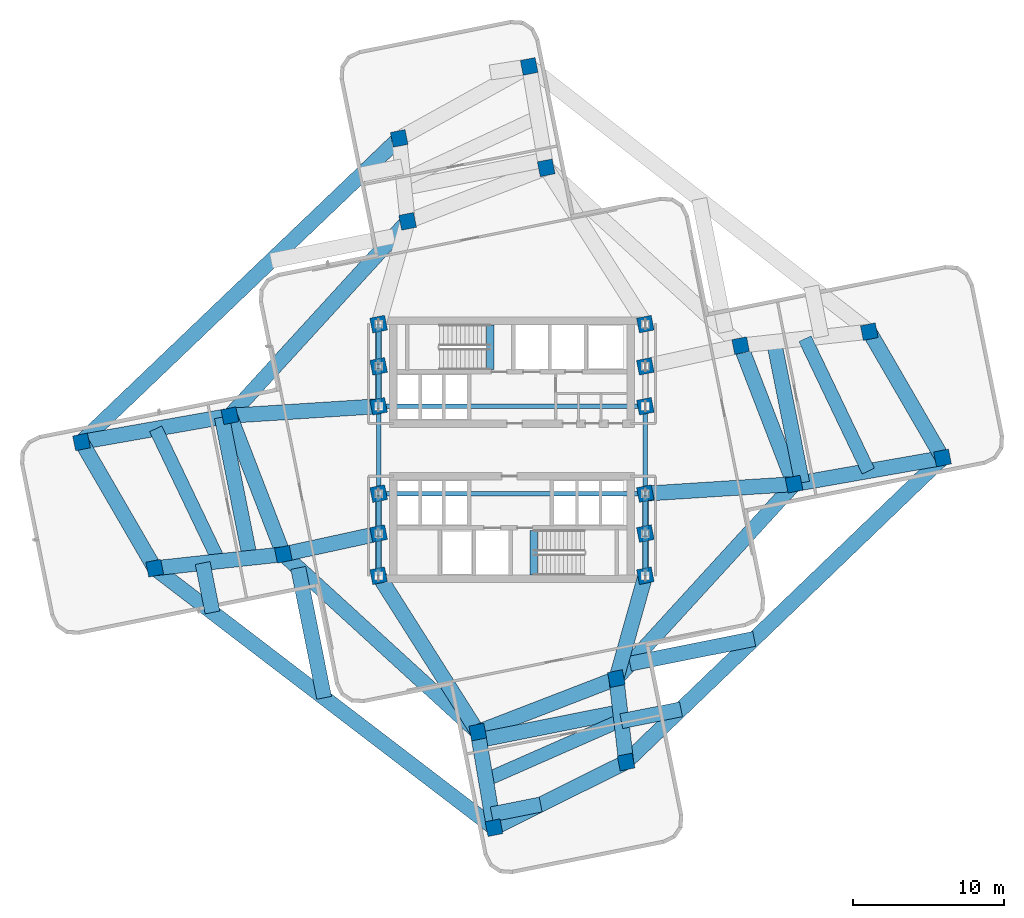
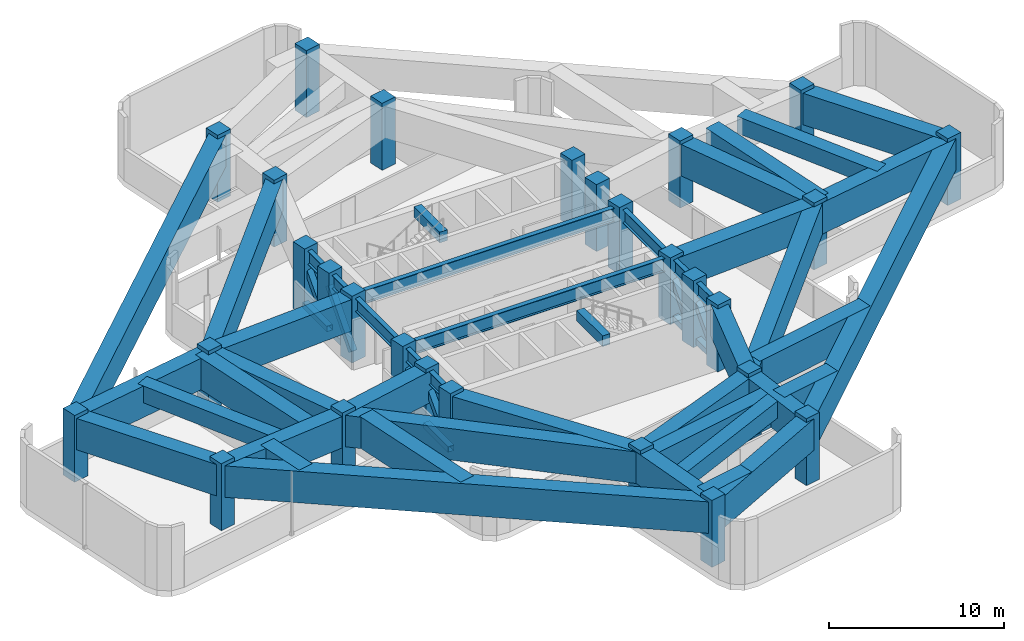
# One storey, part 1 of 7: 45 beams, 28 columns, 12 members.
"""IFC4 building model written with IfcOpenShell, lengths in metres."""

from ifc_helpers import new_model, si_unit, direction, frame, origin, origin_2d, place, context, subcontext, project, spatial, rectangle, hollow_rectangle, i_section, extrude, material, material_profile, profile_set, type_object, element, save


model = new_model("IFC4")

# Units and contexts
model_context = context("Model", 3, precision=1e-05, world=origin(), true_north=direction((0.0, 1.0)))
body_context = subcontext(model_context, "Body", "Model", "MODEL_VIEW")
ifc_project = project(units=[si_unit("LENGTHUNIT", "METRE"), si_unit("AREAUNIT", "SQUARE_METRE"), si_unit("VOLUMEUNIT", "CUBIC_METRE"), si_unit("PLANEANGLEUNIT", "RADIAN"), si_unit("MASSUNIT", "GRAM", prefix="KILO")], contexts=[model_context])

# Site, building, storey
site_placement = place(None, origin())
site = spatial("IfcSite", under=ifc_project, at=site_placement, CompositionType="ELEMENT")
building_placement = place(site_placement, origin())
building = spatial("IfcBuilding", under=site, at=building_placement, Name="Solmarez Civic Tower", CompositionType="ELEMENT")
storey_placement = place(building_placement, frame((0.0, 0.0, 107.280029296875)))
storey = spatial("IfcBuildingStorey", under=building, at=storey_placement, Name="L28", CompositionType="ELEMENT", Elevation=107.280029296875)

# Columns
ifc_material_1 = material(Name="Concrete C60/75", Category="concrete")
ifc_material_profile_1 = material_profile(ifc_material_1, rectangle(XDim=1.0, YDim=1.0, at=origin_2d()), Name="RC1000X1000")
ifc_profile_set_1 = profile_set([ifc_material_profile_1], Name="Concrete C60/75")
column_type = type_object("IfcColumnType", Name="COL-RC1000", PredefinedType="COLUMN", material=ifc_profile_set_1)
for number, where, z_axis, x_axis, name in (
    (1, (-8.85009765625, -5.550048828125, 0.0), (0.0, 0.0, 1.0), (0.98068299691, 0.195603833222, 0.0), "L28 Structural Column HC1"),
    (2, (-8.85009765625, -2.89990234375, 0.0), (0.0, 0.0, 1.0), (0.98068299691, 0.195603833222, 0.0), "L28 Structural Column HC2"),
    (3, (-8.85009765625, 2.89990234375, 0.0), (0.0, 0.0, 1.0), (0.98068299691, 0.195603833222, 0.0), "L28 Structural Column HC3"),
    (4, (-8.85009765625, 5.550048828125, 0.0), (0.0, 0.0, 1.0), (0.98068299691, 0.195603833222, 0.0), "L28 Structural Column HC4"),
    (5, (8.85009765625, -5.550048828125, 0.0), (0.0, 0.0, 1.0), (0.98068299691, 0.195603833222, 0.0), "L28 Structural Column HC5"),
    (6, (8.85009765625, -2.89990234375, 0.0), (0.0, 0.0, 1.0), (0.98068299691, 0.195603833222, 0.0), "L28 Structural Column HC6"),
    (7, (8.85009765625, 2.89990234375, 0.0), (0.0, 0.0, 1.0), (0.98068299691, 0.195603833222, 0.0), "L28 Structural Column HC7"),
    (8, (8.85009765625, 5.550048828125, 0.0), (0.0, 0.0, 1.0), (0.98068299691, 0.195603833222, 0.0), "L28 Structural Column HC8"),
    (9, (-8.85009765625, 8.35009765625, 0.0), (0.0, 0.0, 1.0), (0.98068299691, 0.195603833222, 0.0), "L28 Structural Column HC9"),
    (10, (8.85009765625, -8.35009765625, 0.0), (0.0, 0.0, 1.0), (0.98068299691, 0.195603833222, 0.0), "L28 Structural Column HC10"),
    (11, (8.85009765625, 8.35009765625, 0.0), (0.0, 0.0, 1.0), (0.98068299691, 0.195603833222, 0.0), "L28 Structural Column HC11"),
    (12, (-8.85009765625, -8.35009765625, 0.0), (0.0, 0.0, 1.0), (0.98068299691, 0.195603833222, 0.0), "L28 Structural Column HC12"),
    (13, (18.72412109375, -2.27099609375, 0.0), (0.0, 0.0, 1.0), (0.98068299691, 0.195603833222, 0.0), "L28 Structural Column EA11"),
    (14, (15.175048828125, 6.927001953125, 0.0), (0.0, 0.0, 1.0), (0.98068299691, 0.195603833222, 0.0), "L28 Structural Column EA12"),
    (15, (28.575927734375, -0.532958984375, 0.0), (0.0, 0.0, 1.0), (0.98068299691, 0.195603833222, 0.0), "L28 Structural Column EA21"),
    (16, (23.715087890625, 7.85107421875, 0.0), (0.0, 0.0, 1.0), (0.98068299691, 0.195603833222, 0.0), "L28 Structural Column EA22"),
    (17, (2.27099609375, 18.72412109375, 0.0), (0.0, 0.0, 1.0), (0.98068299691, 0.195603833222, 0.0), "L28 Structural Column NA11"),
    (18, (-6.927001953125, 15.175048828125, 0.0), (0.0, 0.0, 1.0), (0.98068299691, 0.195603833222, 0.0), "L28 Structural Column NA12"),
    (19, (1.138916015625, 25.45703125, 0.0), (0.0, 0.0, 1.0), (0.98068299691, 0.195603833222, 0.0), "L28 Structural Column NA21"),
    (20, (-7.489013671875, 20.678955078125, 0.0), (0.0, 0.0, 1.0), (0.98068299691, 0.195603833222, 0.0), "L28 Structural Column NA22"),
    (21, (-18.72412109375, 2.27099609375, 0.0), (0.0, 0.0, 1.0), (0.98068299691, 0.195603833222, 0.0), "L28 Structural Column WA11"),
    (22, (-15.175048828125, -6.927001953125, 0.0), (0.0, 0.0, 1.0), (0.98068299691, 0.195603833222, 0.0), "L28 Structural Column WA12"),
    (23, (-28.575927734375, 0.532958984375, 0.0), (0.0, 0.0, 1.0), (0.98068299691, 0.195603833222, 0.0), "L28 Structural Column WA21"),
    (24, (-23.715087890625, -7.85107421875, 0.0), (0.0, 0.0, 1.0), (0.98068299691, 0.195603833222, 0.0), "L28 Structural Column WA22"),
    (25, (-2.27099609375, -18.72412109375, 0.0), (0.0, 0.0, 1.0), (0.98068299691, 0.195603833222, 0.0), "L28 Structural Column SA11"),
    (26, (6.927001953125, -15.175048828125, 0.0), (0.0, 0.0, 1.0), (0.98068299691, 0.195603833222, 0.0), "L28 Structural Column SA12"),
    (27, (-1.195068359375, -25.073974609375, 0.0), (0.0, 0.0, 1.0), (0.98068299691, 0.195603833222, 0.0), "L28 Structural Column SA21"),
    (28, (7.573974609375, -20.714111328125, 0.0), (0.0, 0.0, 1.0), (0.98068299691, 0.195603833222, 0.0), "L28 Structural Column SA22"),
):
    element("IfcColumn", number, at=place(storey_placement, frame(where, z_axis=z_axis, x_axis=x_axis)), inside=storey, type_object=column_type, Name=name, PredefinedType="COLUMN", context=body_context, shape_type="SweptSolid", body=[
        extrude(rectangle(XDim=1.0, YDim=1.0, at=origin_2d()), origin(), (0.0, 0.0, 1.0), 4.679931640625),
    ])

# Beams
ifc_material_2 = material(Name="Concrete C50/60", Category="concrete")
ifc_material_profile_2 = material_profile(ifc_material_2, rectangle(XDim=0.5, YDim=0.75, at=origin_2d()), Name="RC500X750")
ifc_profile_set_2 = profile_set([ifc_material_profile_2], Name="Concrete C50/60")
beam_type_1 = type_object("IfcBeamType", Name="BM-PR-RC500X750", PredefinedType="BEAM", material=ifc_profile_set_2)
for number, where, z_axis, x_axis, name in (
    (29, (-1.449951171875, 5.340087890625, 4.31298828125), (0.0, 1.0, 0.0), (-1.0, 0.0, 0.0), "L28 North Stair Threshold Beam"),
    (30, (1.449951171875, -8.300048828125, 4.31298828125), (0.0, 1.0, 0.0), (-1.0, 0.0, 0.0), "L28 South Stair Threshold Beam"),
):
    element("IfcBeam", number, at=place(storey_placement, frame(where, z_axis=z_axis, x_axis=x_axis)), inside=storey, type_object=beam_type_1, Name=name, PredefinedType="BEAM", context=body_context, shape_type="SweptSolid", body=[
        extrude(rectangle(XDim=0.5, YDim=0.75, at=origin_2d()), origin(), (0.0, 0.0, 1.0), 2.9599609375),
    ])
ifc_material_3 = material(Name="Steel S355", Category="steel")
ifc_material_profile_3 = material_profile(ifc_material_3, i_section(OverallWidth=0.306884765625, OverallDepth=0.927001953125, WebThickness=0.019287109375, FlangeThickness=0.031982421875, at=origin_2d()), Name="W36X194")
ifc_profile_set_3 = profile_set([ifc_material_profile_3], Name="Steel S355")
beam_type_2 = type_object("IfcBeamType", Name="BM-PR-W36X194", PredefinedType="BEAM", material=ifc_profile_set_3)
beam_1_placement = place(storey_placement, frame((-8.85009765625, -8.35009765625, 3.95703125), z_axis=(0.0, 1.0, 0.0), x_axis=(-1.0, 0.0, 0.0)))
element("IfcBeam", 31, at=beam_1_placement, inside=storey, type_object=beam_type_2, Name="L28 Primary Floor Beam BM-L28-HC12-HC1", PredefinedType="BEAM", context=body_context, shape_type="SweptSolid", body=[
    extrude(i_section(OverallWidth=0.306884765625, OverallDepth=0.927001953125, WebThickness=0.019287109375, FlangeThickness=0.031982421875, at=origin_2d()), origin(), (0.0, 0.0, 1.0), 2.800048828125),
])
beam_2_placement = place(storey_placement, frame((-8.85009765625, -5.550048828125, 3.95703125), z_axis=(0.0, 1.0, 0.0), x_axis=(-1.0, 0.0, 0.0)))
element("IfcBeam", 32, at=beam_2_placement, inside=storey, type_object=beam_type_2, Name="L28 Primary Floor Beam BM-L28-HC1-HC2", PredefinedType="BEAM", context=body_context, shape_type="SweptSolid", body=[
    extrude(i_section(OverallWidth=0.306884765625, OverallDepth=0.927001953125, WebThickness=0.019287109375, FlangeThickness=0.031982421875, at=origin_2d()), origin(), (0.0, 0.0, 1.0), 2.650146484375),
])
beam_3_placement = place(storey_placement, frame((-8.85009765625, -2.89990234375, 3.95703125), z_axis=(0.0, 1.0, 0.0), x_axis=(-1.0, 0.0, 0.0)))
element("IfcBeam", 33, at=beam_3_placement, inside=storey, type_object=beam_type_2, Name="L28 Primary Floor Beam BM-L28-HC2-HC3", PredefinedType="BEAM", context=body_context, shape_type="SweptSolid", body=[
    extrude(i_section(OverallWidth=0.306884765625, OverallDepth=0.927001953125, WebThickness=0.019287109375, FlangeThickness=0.031982421875, at=origin_2d()), origin(), (0.0, 0.0, 1.0), 5.7998046875),
])
beam_4_placement = place(storey_placement, frame((-8.85009765625, 2.89990234375, 3.95703125), z_axis=(0.0, 1.0, 0.0), x_axis=(-1.0, 0.0, 0.0)))
element("IfcBeam", 34, at=beam_4_placement, inside=storey, type_object=beam_type_2, Name="L28 Primary Floor Beam BM-L28-HC3-HC4", PredefinedType="BEAM", context=body_context, shape_type="SweptSolid", body=[
    extrude(i_section(OverallWidth=0.306884765625, OverallDepth=0.927001953125, WebThickness=0.019287109375, FlangeThickness=0.031982421875, at=origin_2d()), origin(), (0.0, 0.0, 1.0), 2.650146484375),
])
for number, where, z_axis, x_axis, name in (
    (35, (-8.85009765625, 5.550048828125, 3.95703125), (0.0, 1.0, 0.0), (-1.0, 0.0, 0.0), "L28 Primary Floor Beam BM-L28-HC4-HC9"),
    (36, (8.85009765625, -8.35009765625, 3.95703125), (0.0, 1.0, 0.0), (-1.0, 0.0, 0.0), "L28 Primary Floor Beam BM-L28-HC10-HC5"),
):
    element("IfcBeam", number, at=place(storey_placement, frame(where, z_axis=z_axis, x_axis=x_axis)), inside=storey, type_object=beam_type_2, Name=name, PredefinedType="BEAM", context=body_context, shape_type="SweptSolid", body=[
        extrude(i_section(OverallWidth=0.306884765625, OverallDepth=0.927001953125, WebThickness=0.019287109375, FlangeThickness=0.031982421875, at=origin_2d()), origin(), (0.0, 0.0, 1.0), 2.800048828125),
    ])
beam_5_placement = place(storey_placement, frame((8.85009765625, -5.550048828125, 3.95703125), z_axis=(0.0, 1.0, 0.0), x_axis=(-1.0, 0.0, 0.0)))
element("IfcBeam", 37, at=beam_5_placement, inside=storey, type_object=beam_type_2, Name="L28 Primary Floor Beam BM-L28-HC5-HC6", PredefinedType="BEAM", context=body_context, shape_type="SweptSolid", body=[
    extrude(i_section(OverallWidth=0.306884765625, OverallDepth=0.927001953125, WebThickness=0.019287109375, FlangeThickness=0.031982421875, at=origin_2d()), origin(), (0.0, 0.0, 1.0), 2.650146484375),
])
beam_6_placement = place(storey_placement, frame((8.85009765625, -2.89990234375, 3.95703125), z_axis=(0.0, 1.0, 0.0), x_axis=(-1.0, 0.0, 0.0)))
element("IfcBeam", 38, at=beam_6_placement, inside=storey, type_object=beam_type_2, Name="L28 Primary Floor Beam BM-L28-HC6-HC7", PredefinedType="BEAM", context=body_context, shape_type="SweptSolid", body=[
    extrude(i_section(OverallWidth=0.306884765625, OverallDepth=0.927001953125, WebThickness=0.019287109375, FlangeThickness=0.031982421875, at=origin_2d()), origin(), (0.0, 0.0, 1.0), 5.7998046875),
])
for number, where, z_axis, x_axis, name in (
    (39, (-8.85009765625, -2.89990234375, 3.95703125), (1.0, 0.0, 0.0), (0.0, 1.0, 0.0), "L28 Primary Floor Beam BM-L28-HC2-HC6"),
    (40, (-8.85009765625, 2.89990234375, 3.95703125), (1.0, 0.0, 0.0), (0.0, 1.0, 0.0), "L28 Primary Floor Beam BM-L28-HC3-HC7"),
):
    element("IfcBeam", number, at=place(storey_placement, frame(where, z_axis=z_axis, x_axis=x_axis)), inside=storey, type_object=beam_type_2, Name=name, PredefinedType="BEAM", context=body_context, shape_type="SweptSolid", body=[
        extrude(i_section(OverallWidth=0.306884765625, OverallDepth=0.927001953125, WebThickness=0.019287109375, FlangeThickness=0.031982421875, at=origin_2d()), origin(), (0.0, 0.0, 1.0), 17.7001953125),
    ])
ifc_material_profile_4 = material_profile(ifc_material_1, rectangle(XDim=1.0, YDim=2.199951171875, at=origin_2d()), Name="RC1000X2200")
ifc_profile_set_4 = profile_set([ifc_material_profile_4], Name="Concrete C60/75")
beam_type_3 = type_object("IfcBeamType", Name="BM-TG-RC1000X2200", PredefinedType="USERDEFINED", material=ifc_profile_set_4)
beam_7_placement = place(storey_placement, frame((8.85009765625, -2.89990234375, 3.320068359375), z_axis=(0.997977751208, 0.063564204508, 0.0), x_axis=(-0.063564204508, 0.997977751208, 0.0)))
element("IfcBeam", 41, at=beam_7_placement, inside=storey, type_object=beam_type_3, Name="L28 Transfer Girder BM-L28-EA-R1A", ObjectType="TRANSFER_GIRDER", PredefinedType="USERDEFINED", context=body_context, shape_type="SweptSolid", body=[
    extrude(rectangle(XDim=1.0, YDim=2.199951171875, at=origin_2d()), origin(), (0.0, 0.0, 1.0), 9.89404296875),
])
beam_8_placement = place(storey_placement, frame((18.72412109375, -2.27099609375, 3.320068359375), z_axis=(-0.359984466214, 0.932958297077, 0.0), x_axis=(-0.932958297077, -0.359984466214, 0.0)))
element("IfcBeam", 42, at=beam_8_placement, inside=storey, type_object=beam_type_3, Name="L28 Transfer Girder BM-L28-EA-T1", ObjectType="TRANSFER_GIRDER", PredefinedType="USERDEFINED", context=body_context, shape_type="SweptSolid", body=[
    extrude(rectangle(XDim=1.0, YDim=2.199951171875, at=origin_2d()), origin(), (0.0, 0.0, 1.0), 9.85888671875),
])
beam_9_placement = place(storey_placement, frame((18.72412109375, -2.27099609375, 3.320068359375), z_axis=(0.984792402105, 0.173735214497, 0.0), x_axis=(-0.173735214497, 0.984792402105, 0.0)))
element("IfcBeam", 43, at=beam_9_placement, inside=storey, type_object=beam_type_3, Name="L28 Transfer Girder BM-L28-EA-R2A", ObjectType="TRANSFER_GIRDER", PredefinedType="USERDEFINED", context=body_context, shape_type="SweptSolid", body=[
    extrude(rectangle(XDim=1.0, YDim=2.199951171875, at=origin_2d()), origin(), (0.0, 0.0, 1.0), 10.00390625),
])
beam_10_placement = place(storey_placement, frame((28.575927734375, -0.532958984375, 3.320068359375), z_axis=(-0.501571424933, 0.865116238254, 0.0), x_axis=(-0.865116238254, -0.501571424933, 0.0)))
element("IfcBeam", 44, at=beam_10_placement, inside=storey, type_object=beam_type_3, Name="L28 Transfer Girder BM-L28-EA-T2", ObjectType="TRANSFER_GIRDER", PredefinedType="USERDEFINED", context=body_context, shape_type="SweptSolid", body=[
    extrude(rectangle(XDim=1.0, YDim=2.199951171875, at=origin_2d()), origin(), (0.0, 0.0, 1.0), 9.691162109375),
])
beam_11_placement = place(storey_placement, frame((-8.85009765625, 2.89990234375, 3.320068359375), z_axis=(-0.997977751208, -0.063564204508, 0.0), x_axis=(0.063564204508, -0.997977751208, 0.0)))
element("IfcBeam", 45, at=beam_11_placement, inside=storey, type_object=beam_type_3, Name="L28 Transfer Girder BM-L28-WA-R1A", ObjectType="TRANSFER_GIRDER", PredefinedType="USERDEFINED", context=body_context, shape_type="SweptSolid", body=[
    extrude(rectangle(XDim=1.0, YDim=2.199951171875, at=origin_2d()), origin(), (0.0, 0.0, 1.0), 9.89404296875),
])
beam_12_placement = place(storey_placement, frame((-8.85009765625, -5.550048828125, 3.320068359375), z_axis=(-0.977113347202, -0.212719314402, 0.0), x_axis=(0.212719314402, -0.977113347202, 0.0)))
element("IfcBeam", 46, at=beam_12_placement, inside=storey, type_object=beam_type_3, Name="L28 Transfer Girder BM-L28-WA-R1B", ObjectType="TRANSFER_GIRDER", PredefinedType="USERDEFINED", context=body_context, shape_type="SweptSolid", body=[
    extrude(rectangle(XDim=1.0, YDim=2.199951171875, at=origin_2d()), origin(), (0.0, 0.0, 1.0), 6.47314453125),
])
beam_13_placement = place(storey_placement, frame((-18.72412109375, 2.27099609375, 3.320068359375), z_axis=(0.359984466214, -0.932958297077, 0.0), x_axis=(0.932958297077, 0.359984466214, 0.0)))
element("IfcBeam", 47, at=beam_13_placement, inside=storey, type_object=beam_type_3, Name="L28 Transfer Girder BM-L28-WA-T1", ObjectType="TRANSFER_GIRDER", PredefinedType="USERDEFINED", context=body_context, shape_type="SweptSolid", body=[
    extrude(rectangle(XDim=1.0, YDim=2.199951171875, at=origin_2d()), origin(), (0.0, 0.0, 1.0), 9.85888671875),
])
beam_14_placement = place(storey_placement, frame((-18.72412109375, 2.27099609375, 3.320068359375), z_axis=(-0.984792402105, -0.173735214497, 0.0), x_axis=(0.173735214497, -0.984792402105, 0.0)))
element("IfcBeam", 48, at=beam_14_placement, inside=storey, type_object=beam_type_3, Name="L28 Transfer Girder BM-L28-WA-R2A", ObjectType="TRANSFER_GIRDER", PredefinedType="USERDEFINED", context=body_context, shape_type="SweptSolid", body=[
    extrude(rectangle(XDim=1.0, YDim=2.199951171875, at=origin_2d()), origin(), (0.0, 0.0, 1.0), 10.00390625),
])
beam_15_placement = place(storey_placement, frame((-15.175048828125, -6.927001953125, 3.320068359375), z_axis=(-0.994196782435, -0.107576753045, 0.0), x_axis=(0.107576753045, -0.994196782435, 0.0)))
element("IfcBeam", 49, at=beam_15_placement, inside=storey, type_object=beam_type_3, Name="L28 Transfer Girder BM-L28-WA-R2B", ObjectType="TRANSFER_GIRDER", PredefinedType="USERDEFINED", context=body_context, shape_type="SweptSolid", body=[
    extrude(rectangle(XDim=1.0, YDim=2.199951171875, at=origin_2d()), origin(), (0.0, 0.0, 1.0), 8.58984375),
])
beam_16_placement = place(storey_placement, frame((-28.575927734375, 0.532958984375, 3.320068359375), z_axis=(0.501571424933, -0.865116238254, 0.0), x_axis=(0.865116238254, 0.501571424933, 0.0)))
element("IfcBeam", 50, at=beam_16_placement, inside=storey, type_object=beam_type_3, Name="L28 Transfer Girder BM-L28-WA-T2", ObjectType="TRANSFER_GIRDER", PredefinedType="USERDEFINED", context=body_context, shape_type="SweptSolid", body=[
    extrude(rectangle(XDim=1.0, YDim=2.199951171875, at=origin_2d()), origin(), (0.0, 0.0, 1.0), 9.691162109375),
])
beam_17_placement = place(storey_placement, frame((-8.85009765625, -8.35009765625, 3.320068359375), z_axis=(0.535568299099, -0.84449191648, 0.0), x_axis=(0.84449191648, 0.535568299099, 0.0)))
element("IfcBeam", 51, at=beam_17_placement, inside=storey, type_object=beam_type_3, Name="L28 Transfer Girder BM-L28-SA-R1A", ObjectType="TRANSFER_GIRDER", PredefinedType="USERDEFINED", context=body_context, shape_type="SweptSolid", body=[
    extrude(rectangle(XDim=1.0, YDim=2.199951171875, at=origin_2d()), origin(), (0.0, 0.0, 1.0), 12.284423828125),
])
beam_18_placement = place(storey_placement, frame((8.85009765625, -8.35009765625, 3.320068359375), z_axis=(-0.271213183726, -0.962519303169, 0.0), x_axis=(0.962519303169, -0.271213183726, 0.0)))
element("IfcBeam", 52, at=beam_18_placement, inside=storey, type_object=beam_type_3, Name="L28 Transfer Girder BM-L28-SA-R1B", ObjectType="TRANSFER_GIRDER", PredefinedType="USERDEFINED", context=body_context, shape_type="SweptSolid", body=[
    extrude(rectangle(XDim=1.0, YDim=2.199951171875, at=origin_2d()), origin(), (0.0, 0.0, 1.0), 7.0908203125),
])
beam_19_placement = place(storey_placement, frame((-2.27099609375, -18.72412109375, 3.320068359375), z_axis=(0.932958297077, 0.359984466214, 0.0), x_axis=(-0.359984466214, 0.932958297077, 0.0)))
element("IfcBeam", 53, at=beam_19_placement, inside=storey, type_object=beam_type_3, Name="L28 Transfer Girder BM-L28-SA-T1", ObjectType="TRANSFER_GIRDER", PredefinedType="USERDEFINED", context=body_context, shape_type="SweptSolid", body=[
    extrude(rectangle(XDim=1.0, YDim=2.199951171875, at=origin_2d()), origin(), (0.0, 0.0, 1.0), 9.85888671875),
])
beam_20_placement = place(storey_placement, frame((-2.27099609375, -18.72412109375, 3.320068359375), z_axis=(0.167060138422, -0.985946707561, 0.0), x_axis=(0.985946707561, 0.167060138422, 0.0)))
element("IfcBeam", 54, at=beam_20_placement, inside=storey, type_object=beam_type_3, Name="L28 Transfer Girder BM-L28-SA-R2A", ObjectType="TRANSFER_GIRDER", PredefinedType="USERDEFINED", context=body_context, shape_type="SweptSolid", body=[
    extrude(rectangle(XDim=1.0, YDim=2.199951171875, at=origin_2d()), origin(), (0.0, 0.0, 1.0), 6.4404296875),
])
beam_21_placement = place(storey_placement, frame((6.927001953125, -15.175048828125, 3.320068359375), z_axis=(0.11601314993, -0.993247677593, 0.0), x_axis=(0.993247677593, 0.11601314993, 0.0)))
element("IfcBeam", 55, at=beam_21_placement, inside=storey, type_object=beam_type_3, Name="L28 Transfer Girder BM-L28-SA-R2B", ObjectType="TRANSFER_GIRDER", PredefinedType="USERDEFINED", context=body_context, shape_type="SweptSolid", body=[
    extrude(rectangle(XDim=1.0, YDim=2.199951171875, at=origin_2d()), origin(), (0.0, 0.0, 1.0), 5.57666015625),
])
beam_22_placement = place(storey_placement, frame((-1.195068359375, -25.073974609375, 3.320068359375), z_axis=(0.895432090654, 0.445198125589, 0.0), x_axis=(-0.445198125589, 0.895432090654, 0.0)))
element("IfcBeam", 56, at=beam_22_placement, inside=storey, type_object=beam_type_3, Name="L28 Transfer Girder BM-L28-SA-T2", ObjectType="TRANSFER_GIRDER", PredefinedType="USERDEFINED", context=body_context, shape_type="SweptSolid", body=[
    extrude(rectangle(XDim=1.0, YDim=2.199951171875, at=origin_2d()), origin(), (0.0, 0.0, 1.0), 9.79296875),
])
for number, where, z_axis, x_axis, name in (
    (57, (-6.927001953125, 15.175048828125, 3.320068359375), (-0.674742035292, -0.738053646973, 0.0), (0.738053646973, -0.674742035292, 0.0), "L28 Transfer Girder TG-L28-RING-NA12-WA11"),
    (58, (-15.175048828125, -6.927001953125, 3.320068359375), (0.738053646973, -0.674742035292, 0.0), (0.674742035292, 0.738053646973, 0.0), "L28 Transfer Girder TG-L28-RING-WA12-SA11"),
    (59, (6.927001953125, -15.175048828125, 3.320068359375), (0.674742035292, 0.738053646973, 0.0), (-0.738053646973, 0.674742035292, 0.0), "L28 Transfer Girder TG-L28-RING-SA12-EA11"),
):
    element("IfcBeam", number, at=place(storey_placement, frame(where, z_axis=z_axis, x_axis=x_axis)), inside=storey, type_object=beam_type_3, Name=name, ObjectType="TRANSFER_GIRDER", PredefinedType="USERDEFINED", context=body_context, shape_type="SweptSolid", body=[
        extrude(rectangle(XDim=1.0, YDim=2.199951171875, at=origin_2d()), origin(), (0.0, 0.0, 1.0), 17.48388671875),
    ])
beam_23_placement = place(storey_placement, frame((-7.489013671875, 20.678955078125, 3.320068359375), z_axis=(-0.723054430851, -0.69079106105, 0.0), x_axis=(0.69079106105, -0.723054430851, 0.0)))
element("IfcBeam", 60, at=beam_23_placement, inside=storey, type_object=beam_type_3, Name="L28 Transfer Girder TG-L28-RING-NA22-WA21", ObjectType="TRANSFER_GIRDER", PredefinedType="USERDEFINED", context=body_context, shape_type="SweptSolid", body=[
    extrude(rectangle(XDim=1.0, YDim=2.199951171875, at=origin_2d()), origin(), (0.0, 0.0, 1.0), 29.16357421875),
])
beam_24_placement = place(storey_placement, frame((-23.715087890625, -7.85107421875, 3.320068359375), z_axis=(0.794328745236, -0.607488143499, 0.0), x_axis=(0.607488143499, 0.794328745236, 0.0)))
element("IfcBeam", 61, at=beam_24_placement, inside=storey, type_object=beam_type_3, Name="L28 Transfer Girder TG-L28-RING-WA22-SA21", ObjectType="TRANSFER_GIRDER", PredefinedType="USERDEFINED", context=body_context, shape_type="SweptSolid", body=[
    extrude(rectangle(XDim=1.0, YDim=2.199951171875, at=origin_2d()), origin(), (0.0, 0.0, 1.0), 28.35107421875),
])
beam_25_placement = place(storey_placement, frame((7.573974609375, -20.714111328125, 3.320068359375), z_axis=(0.721056591417, 0.692876173623, 0.0), x_axis=(-0.692876173623, 0.721056591417, 0.0)))
element("IfcBeam", 62, at=beam_25_placement, inside=storey, type_object=beam_type_3, Name="L28 Transfer Girder TG-L28-RING-SA22-EA21", ObjectType="TRANSFER_GIRDER", PredefinedType="USERDEFINED", context=body_context, shape_type="SweptSolid", body=[
    extrude(rectangle(XDim=1.0, YDim=2.199951171875, at=origin_2d()), origin(), (0.0, 0.0, 1.0), 29.126708984375),
])
for number, where, z_axis, x_axis, name in (
    (63, (19.258056640625, -2.177001953125, 3.320068359375), (-0.19563321239, 0.98067713658, 0.0), (-0.98067713658, -0.19563321239, 0.0), "L28 Transfer Girder TG-L28-EA11"),
    (64, (-19.258056640625, 2.177001953125, 3.320068359375), (0.19563321239, -0.98067713658, 0.0), (0.98067713658, 0.19563321239, 0.0), "L28 Transfer Girder TG-L28-WA11"),
):
    element("IfcBeam", number, at=place(storey_placement, frame(where, z_axis=z_axis, x_axis=x_axis)), inside=storey, type_object=beam_type_3, Name=name, ObjectType="TRANSFER_GIRDER", PredefinedType="USERDEFINED", context=body_context, shape_type="SweptSolid", body=[
        extrude(rectangle(XDim=1.0, YDim=2.199951171875, at=origin_2d()), origin(), (0.0, 0.0, 1.0), 9.528076171875),
    ])
beam_26_placement = place(storey_placement, frame((-14.18701171875, -7.8310546875, 3.320068359375), z_axis=(0.195608852225, -0.980681995823, 0.0), x_axis=(0.980681995823, 0.195608852225, 0.0)))
element("IfcBeam", 65, at=beam_26_placement, inside=storey, type_object=beam_type_3, Name="L28 Transfer Girder TG-L28-WA12", ObjectType="TRANSFER_GIRDER", PredefinedType="USERDEFINED", context=body_context, shape_type="SweptSolid", body=[
    extrude(rectangle(XDim=1.0, YDim=2.199951171875, at=origin_2d()), origin(), (0.0, 0.0, 1.0), 8.79296875),
])
beam_27_placement = place(storey_placement, frame((-20.533935546875, -7.507080078125, 3.320068359375), z_axis=(0.195736752993, -0.9806564758, 0.0), x_axis=(0.9806564758, 0.195736752993, 0.0)))
element("IfcBeam", 66, at=beam_27_placement, inside=storey, type_object=beam_type_3, Name="L28 Transfer Girder TG-L28-WA22", ObjectType="TRANSFER_GIRDER", PredefinedType="USERDEFINED", context=body_context, shape_type="SweptSolid", body=[
    extrude(rectangle(XDim=1.0, YDim=2.199951171875, at=origin_2d()), origin(), (0.0, 0.0, 1.0), 3.341552734375),
])
beam_28_placement = place(storey_placement, frame((-2.179931640625, -19.258056640625, 3.320068359375), z_axis=(0.980681814638, 0.195609760592, 0.0), x_axis=(-0.195609760592, 0.980681814638, 0.0)))
element("IfcBeam", 67, at=beam_28_placement, inside=storey, type_object=beam_type_3, Name="L28 Transfer Girder TG-L28-SA11", ObjectType="TRANSFER_GIRDER", PredefinedType="USERDEFINED", context=body_context, shape_type="SweptSolid", body=[
    extrude(rectangle(XDim=1.0, YDim=2.199951171875, at=origin_2d()), origin(), (0.0, 0.0, 1.0), 9.550537109375),
])
beam_29_placement = place(storey_placement, frame((7.8310546875, -14.18701171875, 3.320068359375), z_axis=(0.980663205257, 0.195703034864, 0.0), x_axis=(-0.195703034864, 0.980663205257, 0.0)))
element("IfcBeam", 68, at=beam_29_placement, inside=storey, type_object=beam_type_3, Name="L28 Transfer Girder TG-L28-SA12", ObjectType="TRANSFER_GIRDER", PredefinedType="USERDEFINED", context=body_context, shape_type="SweptSolid", body=[
    extrude(rectangle(XDim=1.0, YDim=2.199951171875, at=origin_2d()), origin(), (0.0, 0.0, 1.0), 8.41064453125),
])
beam_30_placement = place(storey_placement, frame((-1.345947265625, -24.181884765625, 3.320068359375), z_axis=(0.980642959005, 0.195804461015, 0.0), x_axis=(-0.195804461015, 0.980642959005, 0.0)))
element("IfcBeam", 69, at=beam_30_placement, inside=storey, type_object=beam_type_3, Name="L28 Transfer Girder TG-L28-SA21", ObjectType="TRANSFER_GIRDER", PredefinedType="USERDEFINED", context=body_context, shape_type="SweptSolid", body=[
    extrude(rectangle(XDim=1.0, YDim=2.199951171875, at=origin_2d()), origin(), (0.0, 0.0, 1.0), 3.314208984375),
])
beam_31_placement = place(storey_placement, frame((7.257080078125, -18.00390625, 3.320068359375), z_axis=(0.980722311332, 0.195406622343, 0.0), x_axis=(-0.195406622343, 0.980722311332, 0.0)))
element("IfcBeam", 70, at=beam_31_placement, inside=storey, type_object=beam_type_3, Name="L28 Transfer Girder TG-L28-SA22", ObjectType="TRANSFER_GIRDER", PredefinedType="USERDEFINED", context=body_context, shape_type="SweptSolid", body=[
    extrude(rectangle(XDim=1.0, YDim=2.199951171875, at=origin_2d()), origin(), (0.0, 0.0, 1.0), 4.036865234375),
])
ifc_material_profile_5 = material_profile(ifc_material_1, rectangle(XDim=0.89990234375, YDim=1.179931640625, at=origin_2d()), Name="RC900X1180")
ifc_profile_set_5 = profile_set([ifc_material_profile_5], Name="Concrete C60/75")
beam_type_4 = type_object("IfcBeamType", Name="BM-TG-RC900X1180", PredefinedType="USERDEFINED", material=ifc_profile_set_5)
for number, where, z_axis, x_axis, name in (
    (71, (23.64990234375, -1.402099609375, 3.830078125), (-0.431491843414, 0.902116837814, 0.0), (-0.902116837814, -0.431491843414, 0.0), "L28 Transfer Girder JS-L28-EA-M2"),
    (72, (-23.64990234375, 1.402099609375, 3.830078125), (0.431491843414, -0.902116837814, 0.0), (0.902116837814, 0.431491843414, 0.0), "L28 Transfer Girder JS-L28-WA-M2"),
):
    element("IfcBeam", number, at=place(storey_placement, frame(where, z_axis=z_axis, x_axis=x_axis)), inside=storey, type_object=beam_type_4, Name=name, ObjectType="TRANSFER_GIRDER", PredefinedType="USERDEFINED", context=body_context, shape_type="SweptSolid", body=[
        extrude(rectangle(XDim=0.89990234375, YDim=1.179931640625, at=origin_2d()), origin(), (0.0, 0.0, 1.0), 9.744873046875),
    ])
beam_32_placement = place(storey_placement, frame((-1.73291015625, -21.89892578125, 3.830078125), z_axis=(0.915226616427, 0.402939499905, 0.0), x_axis=(-0.402939499905, 0.915226616427, 0.0)))
element("IfcBeam", 73, at=beam_32_placement, inside=storey, type_object=beam_type_4, Name="L28 Transfer Girder JS-L28-SA-M2", ObjectType="TRANSFER_GIRDER", PredefinedType="USERDEFINED", context=body_context, shape_type="SweptSolid", body=[
    extrude(rectangle(XDim=0.89990234375, YDim=1.179931640625, at=origin_2d()), origin(), (0.0, 0.0, 1.0), 9.81494140625),
])

# Members
ifc_material_profile_6 = material_profile(ifc_material_3, hollow_rectangle(XDim=0.39990234375, YDim=0.39990234375, WallThickness=0.02001953125, at=origin_2d()), Name="HSS400X400X20")
ifc_profile_set_6 = profile_set([ifc_material_profile_6], Name="Steel S355")
member_type_1 = type_object("IfcMemberType", Name="MEM-BRC-HSS400", PredefinedType="BRACE", material=ifc_profile_set_6)
member_1_placement = place(storey_placement, frame((-8.85009765625, -8.35009765625, 0.349853515625), z_axis=(0.0, 0.679896097265, 0.733308459602), x_axis=(-1.0, 0.0, 0.0)))
element("IfcMember", 74, at=member_1_placement, inside=storey, type_object=member_type_1, Name="L28 Belt Truss Diagonal Brace 1", PredefinedType="BRACE", context=body_context, shape_type="SweptSolid", body=[
    extrude(hollow_rectangle(XDim=0.39990234375, YDim=0.39990234375, WallThickness=0.02001953125, at=origin_2d()), origin(), (0.0, 0.0, 1.0), 4.118408203125),
])
for number, where, z_axis, x_axis, name in (
    (75, (-8.85009765625, -5.550048828125, 0.349853515625), (0.0, 0.659579381967, 0.751634910634), (-1.0, 0.0, 0.0), "L28 Belt Truss Diagonal Brace 2"),
    (76, (-8.85009765625, 2.89990234375, 0.349853515625), (0.0, 0.659579381967, 0.751634910634), (-1.0, 0.0, 0.0), "L28 Belt Truss Diagonal Brace 3"),
):
    element("IfcMember", number, at=place(storey_placement, frame(where, z_axis=z_axis, x_axis=x_axis)), inside=storey, type_object=member_type_1, Name=name, PredefinedType="BRACE", context=body_context, shape_type="SweptSolid", body=[
        extrude(hollow_rectangle(XDim=0.39990234375, YDim=0.39990234375, WallThickness=0.02001953125, at=origin_2d()), origin(), (0.0, 0.0, 1.0), 4.017822265625),
    ])
for number, where, z_axis, x_axis, name in (
    (77, (-8.85009765625, 5.550048828125, 0.349853515625), (0.0, 0.679896097265, 0.733308459602), (-1.0, 0.0, 0.0), "L28 Belt Truss Diagonal Brace 4"),
    (78, (8.85009765625, -8.35009765625, 0.349853515625), (0.0, 0.679896097265, 0.733308459602), (-1.0, 0.0, 0.0), "L28 Belt Truss Diagonal Brace 5"),
):
    element("IfcMember", number, at=place(storey_placement, frame(where, z_axis=z_axis, x_axis=x_axis)), inside=storey, type_object=member_type_1, Name=name, PredefinedType="BRACE", context=body_context, shape_type="SweptSolid", body=[
        extrude(hollow_rectangle(XDim=0.39990234375, YDim=0.39990234375, WallThickness=0.02001953125, at=origin_2d()), origin(), (0.0, 0.0, 1.0), 4.118408203125),
    ])
member_2_placement = place(storey_placement, frame((8.85009765625, -5.550048828125, 0.349853515625), z_axis=(0.0, 0.659579381967, 0.751634910634), x_axis=(-1.0, 0.0, 0.0)))
element("IfcMember", 79, at=member_2_placement, inside=storey, type_object=member_type_1, Name="L28 Belt Truss Diagonal Brace 6", PredefinedType="BRACE", context=body_context, shape_type="SweptSolid", body=[
    extrude(hollow_rectangle(XDim=0.39990234375, YDim=0.39990234375, WallThickness=0.02001953125, at=origin_2d()), origin(), (0.0, 0.0, 1.0), 4.017822265625),
])
ifc_material_profile_7 = material_profile(ifc_material_3, hollow_rectangle(XDim=0.39990234375, YDim=0.39990234375, WallThickness=0.02001953125, at=origin_2d()), Name="HSS400X400X20")
ifc_profile_set_7 = profile_set([ifc_material_profile_7], Name="Steel S355")
member_type_2 = type_object("IfcMemberType", Name="MEM-CHD-HSS400", PredefinedType="CHORD", material=ifc_profile_set_7)
member_3_placement = place(storey_placement, frame((-8.85009765625, -8.35009765625, 0.349853515625), z_axis=(0.0, 1.0, 0.0), x_axis=(-1.0, 0.0, 0.0)))
element("IfcMember", 80, at=member_3_placement, inside=storey, type_object=member_type_2, Name="L28 Belt Truss Bottom Chord 1", PredefinedType="CHORD", context=body_context, shape_type="SweptSolid", body=[
    extrude(hollow_rectangle(XDim=0.39990234375, YDim=0.39990234375, WallThickness=0.02001953125, at=origin_2d()), origin(), (0.0, 0.0, 1.0), 2.800048828125),
])
for number, where, z_axis, x_axis, name in (
    (81, (-8.85009765625, -5.550048828125, 0.349853515625), (0.0, 1.0, 0.0), (-1.0, 0.0, 0.0), "L28 Belt Truss Bottom Chord 2"),
    (82, (-8.85009765625, 2.89990234375, 0.349853515625), (0.0, 1.0, 0.0), (-1.0, 0.0, 0.0), "L28 Belt Truss Bottom Chord 3"),
):
    element("IfcMember", number, at=place(storey_placement, frame(where, z_axis=z_axis, x_axis=x_axis)), inside=storey, type_object=member_type_2, Name=name, PredefinedType="CHORD", context=body_context, shape_type="SweptSolid", body=[
        extrude(hollow_rectangle(XDim=0.39990234375, YDim=0.39990234375, WallThickness=0.02001953125, at=origin_2d()), origin(), (0.0, 0.0, 1.0), 2.650146484375),
    ])
for number, where, z_axis, x_axis, name in (
    (83, (-8.85009765625, 5.550048828125, 0.349853515625), (0.0, 1.0, 0.0), (-1.0, 0.0, 0.0), "L28 Belt Truss Bottom Chord 4"),
    (84, (8.85009765625, -8.35009765625, 0.349853515625), (0.0, 1.0, 0.0), (-1.0, 0.0, 0.0), "L28 Belt Truss Bottom Chord 5"),
):
    element("IfcMember", number, at=place(storey_placement, frame(where, z_axis=z_axis, x_axis=x_axis)), inside=storey, type_object=member_type_2, Name=name, PredefinedType="CHORD", context=body_context, shape_type="SweptSolid", body=[
        extrude(hollow_rectangle(XDim=0.39990234375, YDim=0.39990234375, WallThickness=0.02001953125, at=origin_2d()), origin(), (0.0, 0.0, 1.0), 2.800048828125),
    ])
member_4_placement = place(storey_placement, frame((8.85009765625, -5.550048828125, 0.349853515625), z_axis=(0.0, 1.0, 0.0), x_axis=(-1.0, 0.0, 0.0)))
element("IfcMember", 85, at=member_4_placement, inside=storey, type_object=member_type_2, Name="L28 Belt Truss Bottom Chord 6", PredefinedType="CHORD", context=body_context, shape_type="SweptSolid", body=[
    extrude(hollow_rectangle(XDim=0.39990234375, YDim=0.39990234375, WallThickness=0.02001953125, at=origin_2d()), origin(), (0.0, 0.0, 1.0), 2.650146484375),
])

save(model, "model.ifc")
